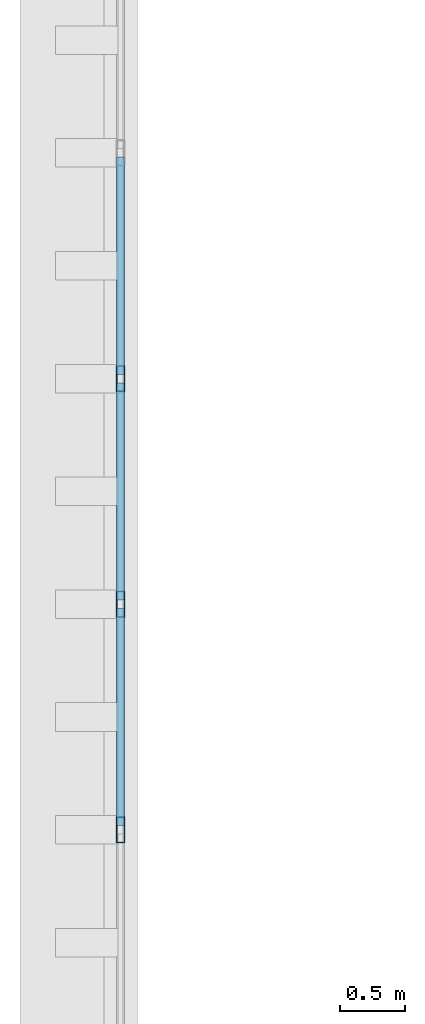
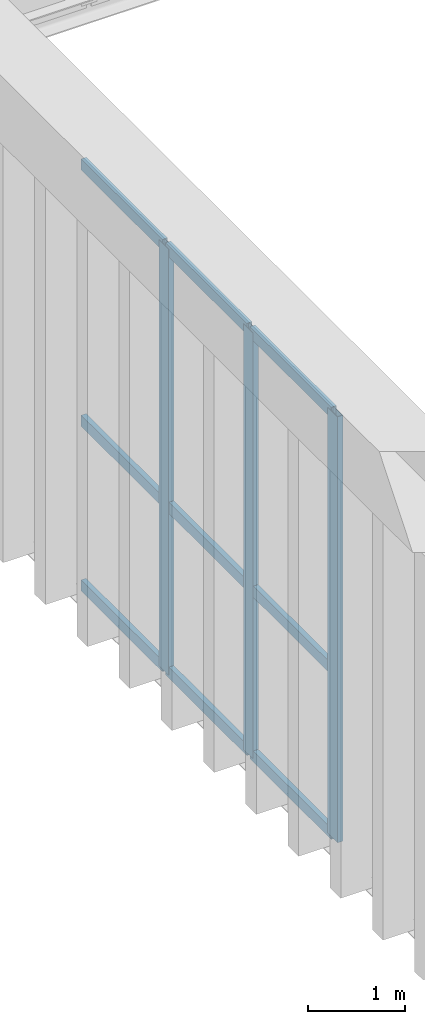
# One storey, part 96 of 237: 12 members, 1 element without a shape of its own.
"""IFC4 building model written with IfcOpenShell, lengths in metres."""

from ifc_helpers import new_model, si_unit, direction, frame, origin, origin_2d, place, context, subcontext, project, spatial, hollow_rectangle, extrude, material, layer, layer_set, material_profile, profile_set, type_object, element, aggregate, save


model = new_model("IFC4")

# Units and contexts
model_context = context("Model", 3, precision=1e-05, world=origin(), true_north=direction((0.0, 1.0)))
body_context = subcontext(model_context, "Body", "Model", "MODEL_VIEW")
ifc_project = project(units=[si_unit("LENGTHUNIT", "METRE"), si_unit("AREAUNIT", "SQUARE_METRE"), si_unit("VOLUMEUNIT", "CUBIC_METRE"), si_unit("PLANEANGLEUNIT", "RADIAN"), si_unit("MASSUNIT", "GRAM", prefix="KILO")], contexts=[model_context])

# Site, building, storey
site_placement = place(None, origin())
site = spatial("IfcSite", under=ifc_project, at=site_placement, CompositionType="ELEMENT")
building_placement = place(site_placement, origin())
building = spatial("IfcBuilding", under=site, at=building_placement, Name="Barlavento Convention Centre", CompositionType="ELEMENT")
storey_placement = place(building_placement, frame((0.0, 0.0, 12.0)))
storey = spatial("IfcBuildingStorey", under=building, at=storey_placement, Name="L02", CompositionType="ELEMENT", Elevation=12.0)

# Curtain wall, members
ifc_material_1 = material(Name="Powder-coated aluminium and Low-E glass", Category="aluminium")
ifc_layer = layer(ifc_material_1, 0.18505859375)
ifc_layer_set = layer_set([ifc_layer], Name="ARC-CW-EXH-L02")
curtain_wall_type = type_object("IfcCurtainWallType", Name="ARC-CW-EXH-L02", PredefinedType="NOTDEFINED", material=ifc_layer_set)
curtain_wall_placement = place(storey_placement, origin())
curtain_wall = element("IfcCurtainWall", 1, at=curtain_wall_placement, inside=storey, type_object=curtain_wall_type, Name="L02 unitised curtain wall CW05", PredefinedType="NOTDEFINED")
ifc_material_2 = material(Name="Powder-coated aluminium", Category="aluminium")
ifc_material_profile_1 = material_profile(ifc_material_2, hollow_rectangle(XDim=0.06494140625, YDim=0.199951171875, WallThickness=0.0048828125, at=origin_2d()), Name="AL-MULL 65x200x5")
ifc_profile_set_1 = profile_set([ifc_material_profile_1], Name="Powder-coated aluminium")
member_type_1 = type_object("IfcMemberType", Name="ARC-CWM-65X200", PredefinedType="MULLION", material=ifc_profile_set_1)
member_1_placement = place(storey_placement, frame((0.0, 120.758056640625, -0.5), z_axis=(0.0, 0.0, 1.0), x_axis=(-1.0, 0.0, 0.0)))
member_1 = element("IfcMember", 2, at=member_1_placement, type_object=member_type_1, Name="CW05 mullion 3", PredefinedType="MULLION", context=body_context, shape_type="SweptSolid", body=[
    extrude(hollow_rectangle(XDim=0.06494140625, YDim=0.199951171875, WallThickness=0.0048828125, at=origin_2d()), origin(), (0.0, 0.0, 1.0), 5.35009765625),
])
member_2_placement = place(storey_placement, frame((0.0, 122.49560546875, -0.5), z_axis=(0.0, 0.0, 1.0), x_axis=(-1.0, 0.0, 0.0)))
member_2 = element("IfcMember", 3, at=member_2_placement, type_object=member_type_1, Name="CW05 mullion 4", PredefinedType="MULLION", context=body_context, shape_type="SweptSolid", body=[
    extrude(hollow_rectangle(XDim=0.06494140625, YDim=0.199951171875, WallThickness=0.0048828125, at=origin_2d()), origin(), (0.0, 0.0, 1.0), 5.35009765625),
])
member_3_placement = place(storey_placement, frame((0.0, 124.233154296875, -0.5), z_axis=(0.0, 0.0, 1.0), x_axis=(-1.0, 0.0, 0.0)))
member_3 = element("IfcMember", 4, at=member_3_placement, type_object=member_type_1, Name="CW05 mullion 5", PredefinedType="MULLION", context=body_context, shape_type="SweptSolid", body=[
    extrude(hollow_rectangle(XDim=0.06494140625, YDim=0.199951171875, WallThickness=0.0048828125, at=origin_2d()), origin(), (0.0, 0.0, 1.0), 5.35009765625),
])
ifc_material_profile_2 = material_profile(ifc_material_2, hollow_rectangle(XDim=0.06005859375, YDim=0.139892578125, WallThickness=0.00390625, at=origin_2d()), Name="AL-TRAN 60x140x4")
ifc_profile_set_2 = profile_set([ifc_material_profile_2], Name="Powder-coated aluminium")
member_type_2 = type_object("IfcMemberType", Name="ARC-CWT-60X140", PredefinedType="USERDEFINED", material=ifc_profile_set_2)
member_4_placement = place(storey_placement, frame((0.0, 120.790771484375, -0.469970703125), z_axis=(0.0, 1.0, 0.0), x_axis=(-1.0, 0.0, 0.0)))
member_4 = element("IfcMember", 5, at=member_4_placement, type_object=member_type_2, Name="CW05 transom 3.1", ObjectType="TRANSOM", PredefinedType="USERDEFINED", context=body_context, shape_type="SweptSolid", body=[
    extrude(hollow_rectangle(XDim=0.06005859375, YDim=0.139892578125, WallThickness=0.00390625, at=origin_2d()), origin(), (0.0, 0.0, 1.0), 1.67236328125),
])
member_5_placement = place(storey_placement, frame((0.0, 120.790771484375, 1.60009765625), z_axis=(0.0, 1.0, 0.0), x_axis=(-1.0, 0.0, 0.0)))
member_5 = element("IfcMember", 6, at=member_5_placement, type_object=member_type_2, Name="CW05 transom 3.2", ObjectType="TRANSOM", PredefinedType="USERDEFINED", context=body_context, shape_type="SweptSolid", body=[
    extrude(hollow_rectangle(XDim=0.06005859375, YDim=0.139892578125, WallThickness=0.00390625, at=origin_2d()), origin(), (0.0, 0.0, 1.0), 1.67236328125),
])
member_6_placement = place(storey_placement, frame((0.0, 120.790771484375, 4.820068359375), z_axis=(0.0, 1.0, 0.0), x_axis=(-1.0, 0.0, 0.0)))
member_6 = element("IfcMember", 7, at=member_6_placement, type_object=member_type_2, Name="CW05 transom 3.3", ObjectType="TRANSOM", PredefinedType="USERDEFINED", context=body_context, shape_type="SweptSolid", body=[
    extrude(hollow_rectangle(XDim=0.06005859375, YDim=0.139892578125, WallThickness=0.00390625, at=origin_2d()), origin(), (0.0, 0.0, 1.0), 1.67236328125),
])
member_7_placement = place(storey_placement, frame((0.0, 122.528076171875, -0.469970703125), z_axis=(0.0, 1.0, 0.0), x_axis=(-1.0, 0.0, 0.0)))
member_7 = element("IfcMember", 8, at=member_7_placement, type_object=member_type_2, Name="CW05 transom 4.1", ObjectType="TRANSOM", PredefinedType="USERDEFINED", context=body_context, shape_type="SweptSolid", body=[
    extrude(hollow_rectangle(XDim=0.06005859375, YDim=0.139892578125, WallThickness=0.00390625, at=origin_2d()), origin(), (0.0, 0.0, 1.0), 1.672607421875),
])
member_8_placement = place(storey_placement, frame((0.0, 122.528076171875, 1.60009765625), z_axis=(0.0, 1.0, 0.0), x_axis=(-1.0, 0.0, 0.0)))
member_8 = element("IfcMember", 9, at=member_8_placement, type_object=member_type_2, Name="CW05 transom 4.2", ObjectType="TRANSOM", PredefinedType="USERDEFINED", context=body_context, shape_type="SweptSolid", body=[
    extrude(hollow_rectangle(XDim=0.06005859375, YDim=0.139892578125, WallThickness=0.00390625, at=origin_2d()), origin(), (0.0, 0.0, 1.0), 1.672607421875),
])
member_9_placement = place(storey_placement, frame((0.0, 122.528076171875, 4.820068359375), z_axis=(0.0, 1.0, 0.0), x_axis=(-1.0, 0.0, 0.0)))
member_9 = element("IfcMember", 10, at=member_9_placement, type_object=member_type_2, Name="CW05 transom 4.3", ObjectType="TRANSOM", PredefinedType="USERDEFINED", context=body_context, shape_type="SweptSolid", body=[
    extrude(hollow_rectangle(XDim=0.06005859375, YDim=0.139892578125, WallThickness=0.00390625, at=origin_2d()), origin(), (0.0, 0.0, 1.0), 1.672607421875),
])
member_10_placement = place(storey_placement, frame((0.0, 124.265625, -0.469970703125), z_axis=(0.0, 1.0, 0.0), x_axis=(-1.0, 0.0, 0.0)))
member_10 = element("IfcMember", 11, at=member_10_placement, type_object=member_type_2, Name="CW05 transom 5.1", ObjectType="TRANSOM", PredefinedType="USERDEFINED", context=body_context, shape_type="SweptSolid", body=[
    extrude(hollow_rectangle(XDim=0.06005859375, YDim=0.139892578125, WallThickness=0.00390625, at=origin_2d()), origin(), (0.0, 0.0, 1.0), 1.67236328125),
])
member_11_placement = place(storey_placement, frame((0.0, 124.265625, 1.60009765625), z_axis=(0.0, 1.0, 0.0), x_axis=(-1.0, 0.0, 0.0)))
member_11 = element("IfcMember", 12, at=member_11_placement, type_object=member_type_2, Name="CW05 transom 5.2", ObjectType="TRANSOM", PredefinedType="USERDEFINED", context=body_context, shape_type="SweptSolid", body=[
    extrude(hollow_rectangle(XDim=0.06005859375, YDim=0.139892578125, WallThickness=0.00390625, at=origin_2d()), origin(), (0.0, 0.0, 1.0), 1.67236328125),
])
member_12_placement = place(storey_placement, frame((0.0, 124.265625, 4.820068359375), z_axis=(0.0, 1.0, 0.0), x_axis=(-1.0, 0.0, 0.0)))
member_12 = element("IfcMember", 13, at=member_12_placement, type_object=member_type_2, Name="CW05 transom 5.3", ObjectType="TRANSOM", PredefinedType="USERDEFINED", context=body_context, shape_type="SweptSolid", body=[
    extrude(hollow_rectangle(XDim=0.06005859375, YDim=0.139892578125, WallThickness=0.00390625, at=origin_2d()), origin(), (0.0, 0.0, 1.0), 1.67236328125),
])
aggregate(curtain_wall, [member_1, member_2, member_3, member_4, member_5, member_6, member_7, member_8, member_9, member_10, member_11, member_12])

save(model, "model.ifc")
